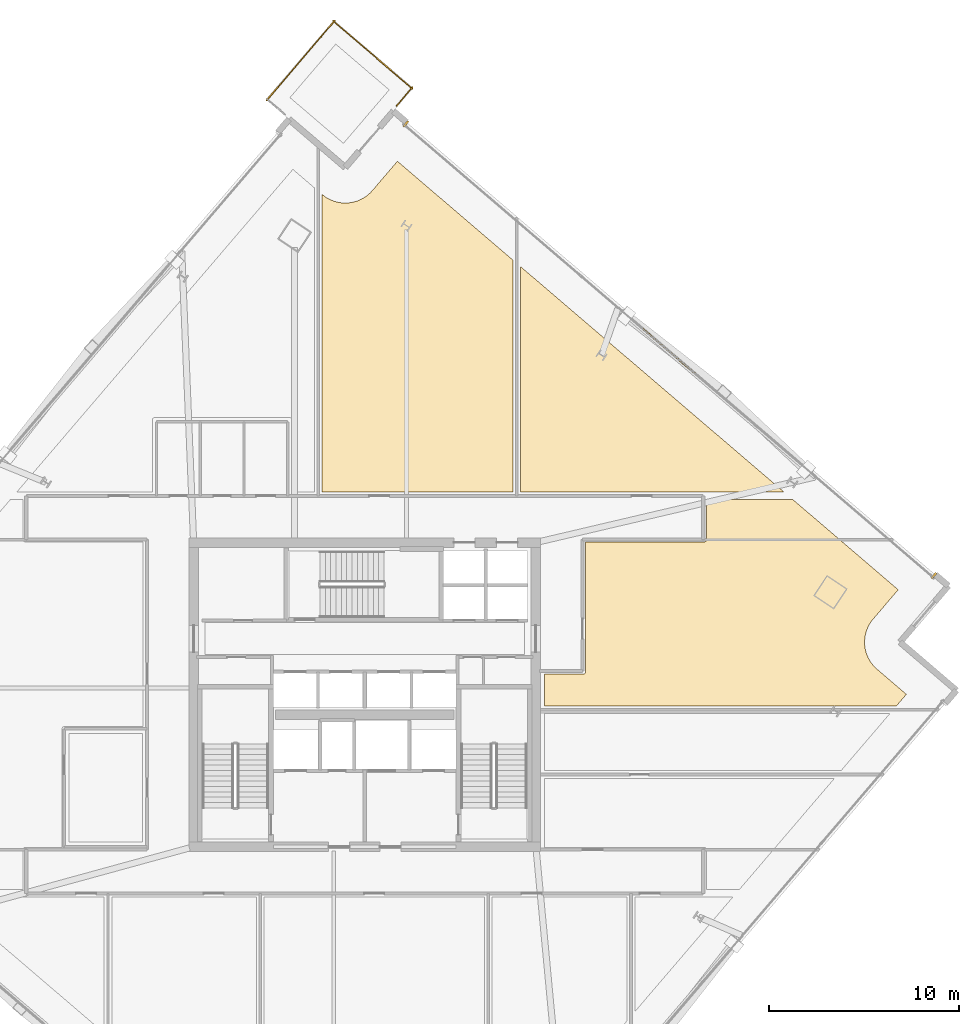
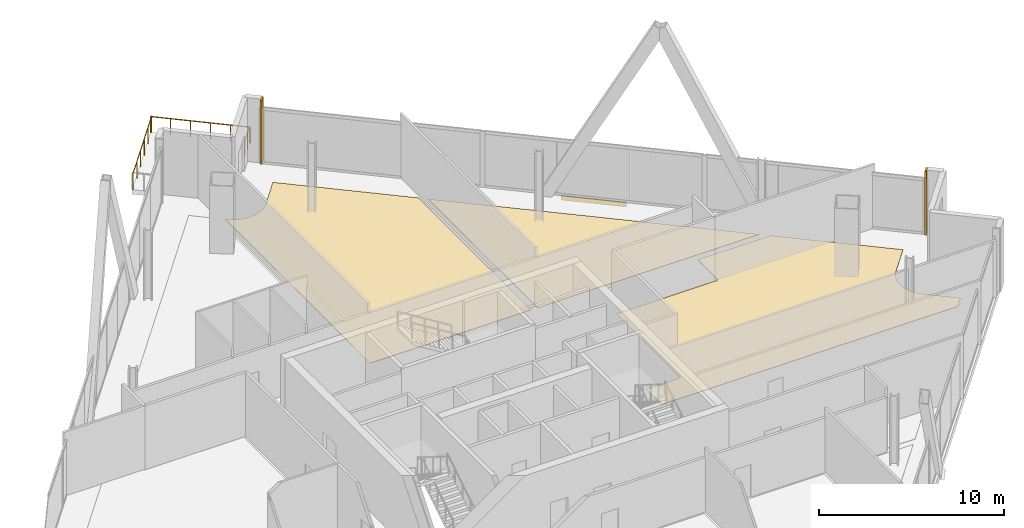
# One storey, part 26 of 26: 6 coverings, 3 railings.
"""IFC4 building model written with IfcOpenShell, lengths in metres."""

from ifc_helpers import new_model, si_unit, direction, frame, origin, origin_2d, place, context, subcontext, project, spatial, polyline, rectangle, outline, extrude, source, transform, mapped, material, layer, layer_set, type_object, element, save


model = new_model("IFC4")

# Units and contexts
model_context = context("Model", 3, precision=1e-05, world=origin(), true_north=direction((0.0, 1.0)))
body_context = subcontext(model_context, "Body", "Model", "MODEL_VIEW")
ifc_project = project(units=[si_unit("LENGTHUNIT", "METRE"), si_unit("AREAUNIT", "SQUARE_METRE"), si_unit("VOLUMEUNIT", "CUBIC_METRE"), si_unit("PLANEANGLEUNIT", "RADIAN"), si_unit("MASSUNIT", "GRAM", prefix="KILO")], contexts=[model_context])

# Site, building, storey
site_placement = place(None, origin())
site = spatial("IfcSite", under=ifc_project, at=site_placement, CompositionType="ELEMENT")
building_placement = place(site_placement, origin())
building = spatial("IfcBuilding", under=site, at=building_placement, Name="Haldenkirk Collegiate Tower", CompositionType="ELEMENT")
storey_placement = place(building_placement, frame((0.0, 0.0, 193.949951171875)))
storey = spatial("IfcBuildingStorey", under=building, at=storey_placement, Name="L48", CompositionType="ELEMENT", Elevation=193.949951171875)

# Coverings
ifc_material_1 = material(Name="Polished collegiate terrazzo", Category="concrete")
ifc_layer_1 = layer(ifc_material_1, 0.02490234375)
ifc_layer_set_1 = layer_set([ifc_layer_1], Name="Polished collegiate terrazzo")
covering_type_1 = type_object("IfcCoveringType", Name="COV-FLOOR-TERRAZZO", PredefinedType="FLOORING", material=ifc_layer_set_1)
covering_1_placement = place(storey_placement, origin())
element("IfcCovering", 1, at=covering_1_placement, inside=storey, type_object=covering_type_1, Name="L48 academic room finish 08", PredefinedType="FLOORING", context=body_context, shape_type="SweptSolid", body=[
    extrude(outline(polyline([(33.76171875, 52.302001953125), (33.76611328125, 52.298095703125), (33.902099609375, 52.193115234375), (33.91162109375, 52.186279296875), (34.05712890625, 52.09521484375), (34.0673828125, 52.08935546875), (34.22119140625, 52.0126953125), (34.231689453125, 52.008056640625), (34.392333984375, 51.94677734375), (34.403564453125, 51.943115234375), (34.5693359375, 51.89794921875), (34.580810546875, 51.8955078125), (34.75, 51.86669921875), (34.76171875, 51.865478515625), (34.93310546875, 51.853515625), (34.94482421875, 51.853271484375), (35.116455078125, 51.858154296875), (35.12841796875, 51.859130859375), (35.298583984375, 51.880859375), (35.310302734375, 51.8828125), (35.477783203125, 51.921142578125), (35.489013671875, 51.92431640625), (35.65185546875, 51.978759765625), (35.662841796875, 51.983154296875), (35.819580078125, 52.053466796875), (35.829833984375, 52.05859375), (35.97900390625, 52.143798828125), (35.989013671875, 52.150390625), (36.12890625, 52.249755859375), (36.13818359375, 52.257080078125), (36.267822265625, 52.36962890625), (36.2763671875, 52.3779296875), (36.394287109375, 52.502685546875), (36.398193359375, 52.507080078125), (37.718017578125, 54.049560546875), (43.800048828125, 48.845703125), (43.800048828125, 36.64990234375), (33.75, 36.64990234375), (33.75, 52.311767578125), (33.76171875, 52.302001953125)])), origin(), (0.0, 0.0, 1.0), 0.025146484375),
])
ifc_material_2 = material(Name="Engineered collegiate oak acoustic flooring", Category="wood")
ifc_layer_2 = layer(ifc_material_2, 0.02197265625)
ifc_layer_set_2 = layer_set([ifc_layer_2], Name="Engineered collegiate oak acoustic flooring")
covering_type_2 = type_object("IfcCoveringType", Name="COV-FLOOR-TIMBER", PredefinedType="FLOORING", material=ifc_layer_set_2)
covering_2_placement = place(storey_placement, origin())
element("IfcCovering", 2, at=covering_2_placement, inside=storey, type_object=covering_type_2, Name="L48 academic room finish 09", PredefinedType="FLOORING", context=body_context, shape_type="SweptSolid", body=[
    extrude(outline(polyline([(58.05419921875, 36.64990234375), (44.199951171875, 36.64990234375), (44.199951171875, 48.50341796875), (58.05419921875, 36.64990234375)])), origin(), (0.0, 0.0, 1.0), 0.02197265625),
])
covering_3_placement = place(storey_placement, origin())
element("IfcCovering", 3, at=covering_3_placement, inside=storey, type_object=covering_type_2, Name="L48 academic room finish 13", PredefinedType="FLOORING", context=body_context, shape_type="SweptSolid", body=[
    extrude(outline(polyline([(62.734130859375, 29.97412109375), (62.73046875, 29.969482421875), (62.62548828125, 29.833740234375), (62.61865234375, 29.82421875), (62.52734375, 29.6787109375), (62.521484375, 29.66845703125), (62.445068359375, 29.5146484375), (62.440185546875, 29.50390625), (62.379150390625, 29.343505859375), (62.37548828125, 29.332275390625), (62.330322265625, 29.16650390625), (62.327880859375, 29.155029296875), (62.299072265625, 28.98583984375), (62.297607421875, 28.97412109375), (62.285888671875, 28.802734375), (62.285400390625, 28.791015625), (62.290283203125, 28.619384765625), (62.29150390625, 28.607421875), (62.31298828125, 28.43701171875), (62.315185546875, 28.425537109375), (62.353515625, 28.258056640625), (62.356689453125, 28.246826171875), (62.4111328125, 28.083984375), (62.415283203125, 28.072998046875), (62.485595703125, 27.916259765625), (62.490966796875, 27.906005859375), (62.576171875, 27.7568359375), (62.58251953125, 27.746826171875), (62.68212890625, 27.606689453125), (62.689208984375, 27.59765625), (62.802001953125, 27.468017578125), (62.810302734375, 27.45947265625), (62.93505859375, 27.341552734375), (62.939453125, 27.337646484375), (64.48193359375, 26.017822265625), (63.953125, 25.39990234375), (45.449951171875, 25.39990234375), (45.449951171875, 27.080078125), (47.5, 27.080078125), (47.51171875, 27.08056640625), (47.5234375, 27.082275390625), (47.534912109375, 27.085205078125), (47.5458984375, 27.089111328125), (47.556640625, 27.09423828125), (47.566650390625, 27.10009765625), (47.576171875, 27.107177734375), (47.5849609375, 27.114990234375), (47.5927734375, 27.123779296875), (47.599853515625, 27.13330078125), (47.605712890625, 27.143310546875), (47.61083984375, 27.154052734375), (47.61474609375, 27.165283203125), (47.61767578125, 27.176513671875), (47.619384765625, 27.188232421875), (47.6201171875, 27.199951171875), (47.6201171875, 34.030029296875), (53.85009765625, 34.030029296875), (53.86181640625, 34.030517578125), (53.873291015625, 34.0322265625), (53.884765625, 34.03515625), (53.89599609375, 34.0390625), (53.906494140625, 34.044189453125), (53.916748046875, 34.05029296875), (53.926025390625, 34.05712890625), (53.934814453125, 34.065185546875), (53.94287109375, 34.073974609375), (53.94970703125, 34.083251953125), (53.955810546875, 34.093505859375), (53.9609375, 34.10400390625), (53.96484375, 34.115234375), (53.9677734375, 34.126708984375), (53.969482421875, 34.13818359375), (53.969970703125, 34.14990234375), (53.969970703125, 36.25), (58.521728515625, 36.25), (64.053955078125, 31.5166015625), (62.734130859375, 29.97412109375)])), origin(), (0.0, 0.0, 1.0), 0.02197265625),
])

# Railings
ifc_material_3 = material(Name="Anodised architectural bronze aluminium", Category="aluminium")
railing_type = type_object("IfcRailingType", Name="RLG-TERR-BALUSTRADE-1100", PredefinedType="BALUSTRADE", material=ifc_material_3)
railing_1_placement = place(storey_placement, frame((37.67529296875, 56.96826171875, 0.0)))
element("IfcRailing", 4, at=railing_1_placement, inside=storey, type_object=railing_type, Name="L48 terrace guard balustrade 1-1", PredefinedType="BALUSTRADE", context=body_context, shape_type="SweptSolid", body=[
    extrude(rectangle(XDim=0.048095703125, YDim=0.048095703125, at=origin_2d()), frame((0.0, 0.0, 1.076171875), z_axis=(0.650037074189, 0.759902495179, 0.0), x_axis=(-0.759902495179, 0.650037074189, 0.0)), (0.0, 0.0, 1.0), 1.280029296875),
    extrude(rectangle(XDim=0.0419921875, YDim=0.0419921875, at=origin_2d()), origin(), (0.0, 0.0, 1.0), 1.052001953125),
    extrude(rectangle(XDim=0.0419921875, YDim=0.0419921875, at=origin_2d()), frame((0.416015625, 0.486328125, 0.0)), (0.0, 0.0, 1.0), 1.052001953125),
    extrude(rectangle(XDim=0.0419921875, YDim=0.0419921875, at=origin_2d()), frame((0.83203125, 0.97265625, 0.0)), (0.0, 0.0, 1.0), 1.052001953125),
])
railing_2_placement = place(storey_placement, frame((38.513916015625, 57.856201171875, 0.0)))
element("IfcRailing", 5, at=railing_2_placement, inside=storey, type_object=railing_type, Name="L48 terrace guard balustrade 2-1", PredefinedType="BALUSTRADE", context=body_context, shape_type="SweptSolid", body=[
    extrude(rectangle(XDim=0.048095703125, YDim=0.048095703125, at=origin_2d()), frame((0.0, 0.0, 1.076171875), z_axis=(-0.759839090324, 0.650111188041, 0.0), x_axis=(-0.650111188041, -0.759839090324, 0.0)), (0.0, 0.0, 1.0), 5.5),
    extrude(rectangle(XDim=0.0419921875, YDim=0.0419921875, at=origin_2d()), origin(), (0.0, 0.0, 1.0), 1.052001953125),
    extrude(rectangle(XDim=0.0419921875, YDim=0.0419921875, at=origin_2d()), frame((-0.8359375, 0.715087890625, 0.0)), (0.0, 0.0, 1.0), 1.052001953125),
    extrude(rectangle(XDim=0.0419921875, YDim=0.0419921875, at=origin_2d()), frame((-1.671630859375, 1.43017578125, 0.0)), (0.0, 0.0, 1.0), 1.052001953125),
    extrude(rectangle(XDim=0.0419921875, YDim=0.0419921875, at=origin_2d()), frame((-2.507568359375, 2.1455078125, 0.0)), (0.0, 0.0, 1.0), 1.052001953125),
    extrude(rectangle(XDim=0.0419921875, YDim=0.0419921875, at=origin_2d()), frame((-3.34326171875, 2.860595703125, 0.0)), (0.0, 0.0, 1.0), 1.052001953125),
    extrude(rectangle(XDim=0.0419921875, YDim=0.0419921875, at=origin_2d()), frame((-4.17919921875, 3.57568359375, 0.0)), (0.0, 0.0, 1.0), 1.052001953125),
])
railing_3_placement = place(storey_placement, frame((34.41943359375, 61.4384765625, 0.0)))
element("IfcRailing", 6, at=railing_3_placement, inside=storey, type_object=railing_type, Name="L48 terrace guard balustrade 3-1", PredefinedType="BALUSTRADE", context=body_context, shape_type="SweptSolid", body=[
    extrude(rectangle(XDim=0.048095703125, YDim=0.048095703125, at=origin_2d()), frame((0.0, 0.0, 1.076171875), z_axis=(-0.650133115442, -0.759820328897, 0.0), x_axis=(0.759820328897, -0.650133115442, 0.0)), (0.0, 0.0, 1.0), 5.5),
    extrude(rectangle(XDim=0.0419921875, YDim=0.0419921875, at=origin_2d()), origin(), (0.0, 0.0, 1.0), 1.052001953125),
    extrude(rectangle(XDim=0.0419921875, YDim=0.0419921875, at=origin_2d()), frame((-0.715087890625, -0.835693359375, 0.0)), (0.0, 0.0, 1.0), 1.052001953125),
    extrude(rectangle(XDim=0.0419921875, YDim=0.0419921875, at=origin_2d()), frame((-1.43017578125, -1.671630859375, 0.0)), (0.0, 0.0, 1.0), 1.052001953125),
    extrude(rectangle(XDim=0.0419921875, YDim=0.0419921875, at=origin_2d()), frame((-2.1455078125, -2.50732421875, 0.0)), (0.0, 0.0, 1.0), 1.052001953125),
    extrude(rectangle(XDim=0.0419921875, YDim=0.0419921875, at=origin_2d()), frame((-2.860595703125, -3.34326171875, 0.0)), (0.0, 0.0, 1.0), 1.052001953125),
    extrude(rectangle(XDim=0.0419921875, YDim=0.0419921875, at=origin_2d()), frame((-3.57568359375, -4.178955078125, 0.0)), (0.0, 0.0, 1.0), 1.052001953125),
])

# Coverings
ifc_layer_3 = layer(ifc_material_3, 0.06005859375)
ifc_layer_set_3 = layer_set([ifc_layer_3], Name="Anodised architectural bronze aluminium")
covering_type_3 = type_object("IfcCoveringType", Name="COV-CLAD-BRONZE-60", PredefinedType="CLADDING", material=ifc_layer_set_3)
shared_shape_1 = source(origin(), body_context, "Body", "SweptSolid", [
    extrude(rectangle(XDim=3.60009765625, YDim=0.06005859375, at=origin_2d()), origin(), (0.0, 0.0, 1.0), 0.300048828125),
])
covering_4_placement = place(storey_placement, frame((51.984619140625, 44.0673828125, -0.2998046875), z_axis=(0.0, 0.0, 1.0), x_axis=(0.759838925793, -0.650111380342, 0.0)))
element("IfcCovering", 7, at=covering_4_placement, inside=storey, type_object=covering_type_3, Name="L48 architectural bronze spandrel cladding E", PredefinedType="CLADDING", context=body_context, shape_type="MappedRepresentation", body=[
    mapped(shared_shape_1, transform((0.0, 0.0, 0.0), x_axis=(1.0, 0.0, 0.0), y_axis=(0.0, 1.0, 0.0), z_axis=(0.0, 0.0, 1.0), scale=1.0)),
])
shared_shape_2 = source(origin(), body_context, "Body", "SweptSolid", [
    extrude(rectangle(XDim=0.10009765625, YDim=0.3798828125, at=origin_2d()), origin(), (0.0, 0.0, 1.0), 4.219970703125),
])
for number, where, z_axis, x_axis, name in (
    (8, (38.160888671875, 56.01318359375, 0.0), (0.0, 0.0, 1.0), (0.759838925793, -0.650111380342, 0.0), "L48 recessed curtain-wall bronze jamb closure EJL"),
    (9, (65.92529296875, 32.258056640625, 0.0), (0.0, 0.0, 1.0), (0.759838925793, -0.650111380342, 0.0), "L48 recessed curtain-wall bronze jamb closure EJR"),
):
    element("IfcCovering", number, at=place(storey_placement, frame(where, z_axis=z_axis, x_axis=x_axis)), inside=storey, type_object=covering_type_3, Name=name, PredefinedType="CLADDING", context=body_context, shape_type="MappedRepresentation", body=[
        mapped(shared_shape_2, transform((0.0, 0.0, 0.0), x_axis=(1.0, 0.0, 0.0), y_axis=(0.0, 1.0, 0.0), z_axis=(0.0, 0.0, 1.0), scale=1.0)),
    ])

save(model, "model.ifc")
